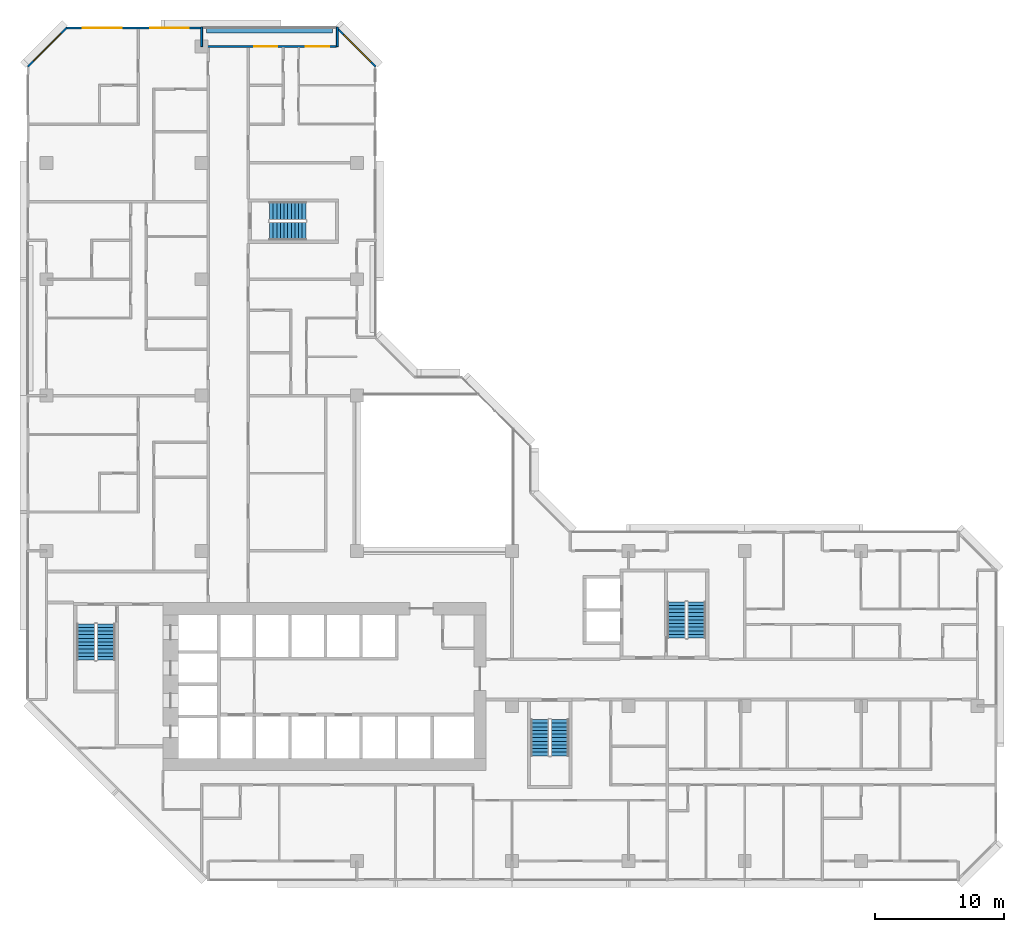
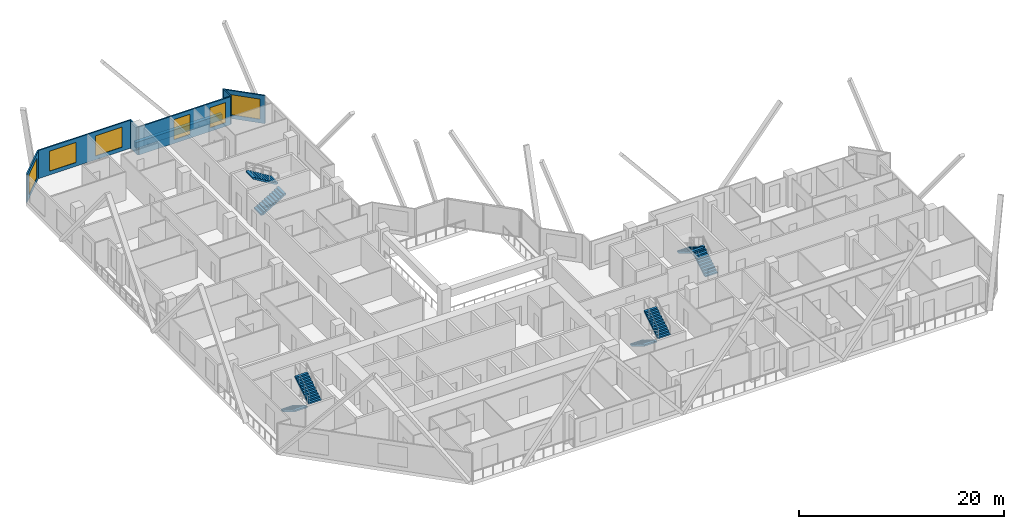
# One storey, part 13 of 15: 8 stair flights, 7 walls, 6 windows, 6 openings, 4 elements without a shape of their own.
"""IFC4 building model written with IfcOpenShell, lengths in metres."""

from ifc_helpers import new_model, si_unit, direction, frame, frame_2d, origin, place, context, subcontext, project, spatial, polyline, rectangle, outline, extrude, material, layer, layer_set, type_object, element, fill, aggregate, save


model = new_model("IFC4")

# Units and contexts
model_context = context("Model", 3, precision=1e-05, world=origin(), true_north=direction((0.0, 1.0)))
body_context = subcontext(model_context, "Body", "Model", "MODEL_VIEW")
ifc_project = project(units=[si_unit("LENGTHUNIT", "METRE"), si_unit("AREAUNIT", "SQUARE_METRE"), si_unit("VOLUMEUNIT", "CUBIC_METRE"), si_unit("PLANEANGLEUNIT", "RADIAN"), si_unit("MASSUNIT", "GRAM", prefix="KILO")], contexts=[model_context])

# Site, building, storey
site_placement = place(None, origin())
site = spatial("IfcSite", under=ifc_project, at=site_placement, CompositionType="ELEMENT")
building_placement = place(site_placement, origin())
building = spatial("IfcBuilding", under=site, at=building_placement, Name="Chenar Terraces", CompositionType="ELEMENT")
storey_placement = place(building_placement, frame((0.0, 0.0, 129.39990234375)))
storey = spatial("IfcBuildingStorey", under=building, at=storey_placement, Name="L30", CompositionType="ELEMENT", Elevation=129.39990234375)

# Wall, openings, windows
ifc_material_1 = material(Name="Aluminium framed glazing", Category="aluminium")
ifc_layer_1 = layer(ifc_material_1, 0.14990234375)
ifc_layer_set_1 = layer_set([ifc_layer_1], Name="Aluminium framed glazing")
wall_type_1 = type_object("IfcWallType", Name="Glazed flush facade wall 150", PredefinedType="SOLIDWALL", material=ifc_layer_set_1)
wall_1_placement = place(storey_placement, frame((11.925048828125, 64.425048828125, 0.0), z_axis=(0.0, 0.0, 1.0), x_axis=(-1.0, 0.0, 0.0)))
wall_1 = element("IfcWall", 1, at=wall_1_placement, inside=storey, type_object=wall_type_1, Name="Glazed flush facade wall", PredefinedType="SOLIDWALL", context=body_context, shape_type="SweptSolid", body=[
    extrude(rectangle(XDim=10.425048828125, YDim=0.14990234375, at=frame_2d((5.21240234375, 0.0))), origin(), (0.0, 0.0, 1.0), 3.35009765625),
])
opening_1_placement = place(wall_1_placement, frame((0.91259765625, 0.0, 0.449951171875)))
opening_1 = element("IfcOpeningElement", 2, at=opening_1_placement, cuts=wall_1, Name="Opening W300x240", PredefinedType="OPENING", context=body_context, shape_type="SweptSolid", body=[
    extrude(rectangle(XDim=3.0, YDim=2.39990234375, at=frame_2d((1.5, 1.199951171875))), frame((0.0, 0.0849609375, 0.0), z_axis=(0.0, -1.0, 0.0), x_axis=(1.0, 0.0, 0.0)), (0.0, 0.0, 1.0), 0.169921875),
])
opening_2_placement = place(wall_1_placement, frame((6.125, 0.0, 0.449951171875)))
opening_2 = element("IfcOpeningElement", 3, at=opening_2_placement, cuts=wall_1, Name="Opening W300x240", PredefinedType="OPENING", context=body_context, shape_type="SweptSolid", body=[
    extrude(rectangle(XDim=3.0, YDim=2.39990234375, at=frame_2d((1.5, 1.199951171875))), frame((0.0, 0.0849609375, 0.0), z_axis=(0.0, -1.0, 0.0), x_axis=(1.0, 0.0, 0.0)), (0.0, 0.0, 1.0), 0.169921875),
])
ifc_material_2 = material(Name="Low emissivity double glazing, aluminium frame", Category="aluminium")
window_type_1 = type_object("IfcWindowType", Name="Fixed light 3000 x 2400", PartitioningType="SINGLE_PANEL", PredefinedType="WINDOW", material=ifc_material_2)
window_1_placement = place(opening_1_placement, origin())
window_1 = element("IfcWindow", 4, at=window_1_placement, inside=storey, type_object=window_type_1, Name="Window", OverallHeight=2.39990234375, OverallWidth=3.0, PartitioningType="SINGLE_PANEL", PredefinedType="WINDOW", context=body_context, shape_type="SweptSolid", body=[
    extrude(rectangle(XDim=3.0, YDim=2.39990234375, at=frame_2d((1.5, 1.199951171875))), frame((0.0, 0.030029296875, 0.0), z_axis=(0.0, -1.0, 0.0), x_axis=(1.0, 0.0, 0.0)), (0.0, 0.0, 1.0), 0.06005859375),
])
fill(opening_1, window_1)
window_2_placement = place(opening_2_placement, origin())
window_2 = element("IfcWindow", 5, at=window_2_placement, inside=storey, type_object=window_type_1, Name="Window", OverallHeight=2.39990234375, OverallWidth=3.0, PartitioningType="SINGLE_PANEL", PredefinedType="WINDOW", context=body_context, shape_type="SweptSolid", body=[
    extrude(rectangle(XDim=3.0, YDim=2.39990234375, at=frame_2d((1.5, 1.199951171875))), frame((0.0, 0.030029296875, 0.0), z_axis=(0.0, -1.0, 0.0), x_axis=(1.0, 0.0, 0.0)), (0.0, 0.0, 1.0), 0.06005859375),
])
fill(opening_2, window_2)

ifc_material_3 = material(Name="Aluminium framed glazing", Category="aluminium")
ifc_layer_2 = layer(ifc_material_3, 0.14990234375)
ifc_layer_set_2 = layer_set([ifc_layer_2], Name="Aluminium framed glazing")
wall_type_2 = type_object("IfcWallType", Name="Glazed loggia back wall 150", PredefinedType="SOLIDWALL", material=ifc_layer_set_2)
wall_2_placement = place(storey_placement, frame((22.425048828125, 63.0, 0.0), z_axis=(0.0, 0.0, 1.0), x_axis=(-1.0, 0.0, 0.0)))
wall_2 = element("IfcWall", 6, at=wall_2_placement, inside=storey, type_object=wall_type_2, Name="Glazed loggia back wall", PredefinedType="SOLIDWALL", context=body_context, shape_type="SweptSolid", body=[
    extrude(rectangle(XDim=10.35009765625, YDim=0.14990234375, at=frame_2d((5.175048828125, 0.0))), origin(), (0.0, 0.0, 1.0), 3.35009765625),
])
opening_3_placement = place(wall_2_placement, frame((0.5625, 0.0, 0.449951171875)))
opening_3 = element("IfcOpeningElement", 7, at=opening_3_placement, cuts=wall_2, Name="Opening W180x240", PredefinedType="OPENING", context=body_context, shape_type="SweptSolid", body=[
    extrude(rectangle(XDim=1.800048828125, YDim=2.39990234375, at=frame_2d((0.89990234375, 1.199951171875))), frame((0.0, 0.0849609375, 0.0), z_axis=(0.0, -1.0, 0.0), x_axis=(1.0, 0.0, 0.0)), (0.0, 0.0, 1.0), 0.169921875),
])
opening_4_placement = place(wall_2_placement, frame((4.574951171875, 0.0, 0.449951171875)))
opening_4 = element("IfcOpeningElement", 8, at=opening_4_placement, cuts=wall_2, Name="Opening W180x240", PredefinedType="OPENING", context=body_context, shape_type="SweptSolid", body=[
    extrude(rectangle(XDim=1.800048828125, YDim=2.39990234375, at=frame_2d((0.89990234375, 1.199951171875))), frame((0.0, 0.0849609375, 0.0), z_axis=(0.0, -1.0, 0.0), x_axis=(1.0, 0.0, 0.0)), (0.0, 0.0, 1.0), 0.169921875),
])
ifc_material_4 = material(Name="Low emissivity double glazing, aluminium frame", Category="aluminium")
window_type_2 = type_object("IfcWindowType", Name="Fixed light 1800 x 2400", PartitioningType="SINGLE_PANEL", PredefinedType="WINDOW", material=ifc_material_4)
window_3_placement = place(opening_3_placement, origin())
window_3 = element("IfcWindow", 9, at=window_3_placement, inside=storey, type_object=window_type_2, Name="Window", OverallHeight=2.39990234375, OverallWidth=1.800048828125, PartitioningType="SINGLE_PANEL", PredefinedType="WINDOW", context=body_context, shape_type="SweptSolid", body=[
    extrude(rectangle(XDim=1.800048828125, YDim=2.39990234375, at=frame_2d((0.89990234375, 1.199951171875))), frame((0.0, 0.030029296875, 0.0), z_axis=(0.0, -1.0, 0.0), x_axis=(1.0, 0.0, 0.0)), (0.0, 0.0, 1.0), 0.06005859375),
])
fill(opening_3, window_3)
window_4_placement = place(opening_4_placement, origin())
window_4 = element("IfcWindow", 10, at=window_4_placement, inside=storey, type_object=window_type_2, Name="Window", OverallHeight=2.39990234375, OverallWidth=1.800048828125, PartitioningType="SINGLE_PANEL", PredefinedType="WINDOW", context=body_context, shape_type="SweptSolid", body=[
    extrude(rectangle(XDim=1.800048828125, YDim=2.39990234375, at=frame_2d((0.89990234375, 1.199951171875))), frame((0.0, 0.030029296875, 0.0), z_axis=(0.0, -1.0, 0.0), x_axis=(1.0, 0.0, 0.0)), (0.0, 0.0, 1.0), 0.06005859375),
])
fill(opening_4, window_4)

# Walls
ifc_material_5 = material(Name="Terracotta cladding on insulated backing", Category="masonry")
ifc_layer_3 = layer(ifc_material_5, 0.14990234375)
ifc_layer_set_3 = layer_set([ifc_layer_3], Name="Terracotta cladding on insulated backing")
wall_type_3 = type_object("IfcWallType", Name="Loggia return wall 150", PredefinedType="SOLIDWALL", material=ifc_layer_set_3)
for number, where, z_axis, x_axis, name in (
    (11, (22.5, 64.5, 0.0), (0.0, 0.0, 1.0), (0.0, -1.0, 0.0), "Loggia return wall"),
    (12, (12.0, 64.5, 0.0), (0.0, 0.0, 1.0), (0.0, -1.0, 0.0), "Loggia return wall"),
):
    element("IfcWall", number, at=place(storey_placement, frame(where, z_axis=z_axis, x_axis=x_axis)), inside=storey, type_object=wall_type_3, Name=name, PredefinedType="SOLIDWALL", context=body_context, shape_type="SweptSolid", body=[
        extrude(rectangle(XDim=1.5, YDim=0.14990234375, at=frame_2d((0.75, 0.0))), origin(), (0.0, 0.0, 1.0), 3.35009765625),
    ])

# Wall, opening, window
ifc_material_6 = material(Name="Terracotta cladding on insulated backing", Category="masonry")
ifc_layer_4 = layer(ifc_material_6, 0.14990234375)
ifc_layer_set_4 = layer_set([ifc_layer_4], Name="Terracotta cladding on insulated backing")
wall_type_4 = type_object("IfcWallType", Name="Terracotta rainscreen wall 150", PredefinedType="SOLIDWALL", material=ifc_layer_set_4)
wall_3_placement = place(storey_placement, frame((25.447021484375, 61.447021484375, 0.0), z_axis=(0.0, 0.0, 1.0), x_axis=(-0.707106781187, 0.707106781187, 0.0)))
wall_3 = element("IfcWall", 13, at=wall_3_placement, inside=storey, type_object=wall_type_4, Name="Terracotta rainscreen wall", PredefinedType="SOLIDWALL", context=body_context, shape_type="SweptSolid", body=[
    extrude(rectangle(XDim=4.24267578125, YDim=0.14990234375, at=frame_2d((2.121337890625, 0.0))), origin(), (0.0, 0.0, 1.0), 3.35009765625),
])
opening_5_placement = place(wall_3_placement, frame((0.498046875, 0.0, 0.449951171875)))
opening_5 = element("IfcOpeningElement", 14, at=opening_5_placement, cuts=wall_3, Name="Opening W300x240", PredefinedType="OPENING", context=body_context, shape_type="SweptSolid", body=[
    extrude(rectangle(XDim=3.0, YDim=2.39990234375, at=frame_2d((1.5, 1.199951171875))), frame((0.0, 0.0849609375, 0.0), z_axis=(0.0, -1.0, 0.0), x_axis=(1.0, 0.0, 0.0)), (0.0, 0.0, 1.0), 0.169921875),
])
window_5_placement = place(opening_5_placement, origin())
window_5 = element("IfcWindow", 15, at=window_5_placement, inside=storey, type_object=window_type_1, Name="Window", OverallHeight=2.39990234375, OverallWidth=3.0, PartitioningType="SINGLE_PANEL", PredefinedType="WINDOW", context=body_context, shape_type="SweptSolid", body=[
    extrude(rectangle(XDim=3.0, YDim=2.39990234375, at=frame_2d((1.5, 1.199951171875))), frame((0.0, 0.030029296875, 0.0), z_axis=(0.0, -1.0, 0.0), x_axis=(1.0, 0.0, 0.0)), (0.0, 0.0, 1.0), 0.06005859375),
])
fill(opening_5, window_5)

wall_4_placement = place(storey_placement, frame((1.552978515625, 64.447021484375, 0.0), z_axis=(0.0, 0.0, 1.0), x_axis=(-0.707106781187, -0.707106781187, 0.0)))
wall_4 = element("IfcWall", 16, at=wall_4_placement, inside=storey, type_object=wall_type_4, Name="Terracotta rainscreen wall", PredefinedType="SOLIDWALL", context=body_context, shape_type="SweptSolid", body=[
    extrude(rectangle(XDim=4.24267578125, YDim=0.14990234375, at=frame_2d((2.121337890625, 0.0))), origin(), (0.0, 0.0, 1.0), 3.35009765625),
])
opening_6_placement = place(wall_4_placement, frame((0.621337890625, 0.0, 0.449951171875)))
opening_6 = element("IfcOpeningElement", 17, at=opening_6_placement, cuts=wall_4, Name="Opening W300x240", PredefinedType="OPENING", context=body_context, shape_type="SweptSolid", body=[
    extrude(rectangle(XDim=3.0, YDim=2.39990234375, at=frame_2d((1.5, 1.199951171875))), frame((0.0, 0.0849609375, 0.0), z_axis=(0.0, -1.0, 0.0), x_axis=(1.0, 0.0, 0.0)), (0.0, 0.0, 1.0), 0.169921875),
])
window_6_placement = place(opening_6_placement, origin())
window_6 = element("IfcWindow", 18, at=window_6_placement, inside=storey, type_object=window_type_1, Name="Window", OverallHeight=2.39990234375, OverallWidth=3.0, PartitioningType="SINGLE_PANEL", PredefinedType="WINDOW", context=body_context, shape_type="SweptSolid", body=[
    extrude(rectangle(XDim=3.0, YDim=2.39990234375, at=frame_2d((1.5, 1.199951171875))), frame((0.0, 0.030029296875, 0.0), z_axis=(0.0, -1.0, 0.0), x_axis=(1.0, 0.0, 0.0)), (0.0, 0.0, 1.0), 0.06005859375),
])
fill(opening_6, window_6)

# Wall
ifc_material_7 = material(Name="GRP planter trough")
ifc_layer_5 = layer(ifc_material_7, 0.39990234375)
ifc_layer_set_5 = layer_set([ifc_layer_5], Name="GRP planter trough")
wall_type_5 = type_object("IfcWallType", Name="Vertical greenery planter 400", PredefinedType="SOLIDWALL", material=ifc_layer_set_5)
wall_5_placement = place(storey_placement, frame((22.125, 64.22900390625, 0.0), z_axis=(0.0, 0.0, 1.0), x_axis=(-1.0, 0.0, 0.0)))
element("IfcWall", 19, at=wall_5_placement, inside=storey, type_object=wall_type_5, Name="Vertical greenery planter", PredefinedType="SOLIDWALL", context=body_context, shape_type="SweptSolid", body=[
    extrude(rectangle(XDim=9.75, YDim=0.39990234375, at=frame_2d((4.875, 0.0))), origin(), (0.0, 0.0, 1.0), 0.7001953125),
])

# Stair, stair flights
ifc_material_8 = material(Name="Reinforced concrete C40/50", Category="concrete")
stair_type = type_object("IfcStairType", Name="Core stair 1400 half-turn", PredefinedType="HALF_TURN_STAIR", material=ifc_material_8)
placement = place(storey_placement, origin())
stair_1 = element("IfcStair", 20, at=placement, inside=storey, type_object=stair_type, Name="L30 Stair 1", PredefinedType="HALF_TURN_STAIR")
ifc_material_9 = material(Name="Reinforced concrete C40/50", Category="concrete")
stair_flight_type = type_object("IfcStairFlightType", Name="Core stair flight 1400", PredefinedType="STRAIGHT", material=ifc_material_9)
stair_flight_1_placement = place(storey_placement, frame((3.050048828125, 18.35009765625, 0.0), z_axis=(0.0, 0.0, 1.0), x_axis=(0.0, -1.0, 0.0)))
stair_flight_1 = element("IfcStairFlight", 21, at=stair_flight_1_placement, type_object=stair_flight_type, Name="ST1 flight 1", NumberOfRisers=11, NumberOfTreads=10, PredefinedType="STRAIGHT", RiserHeight=0.170454545, TreadLength=0.28, context=body_context, shape_type="SweptSolid", body=[
    extrude(outline(polyline([(-0.0029296875, 0.0), (-0.0029296875, 0.17041015625), (0.0, 0.17041015625), (0.280029296875, 0.17041015625), (0.280029296875, 0.3408203125), (0.56005859375, 0.3408203125), (0.56005859375, 0.511474609375), (0.840087890625, 0.511474609375), (0.840087890625, 0.681884765625), (1.1201171875, 0.681884765625), (1.1201171875, 0.852294921875), (1.39990234375, 0.852294921875), (1.39990234375, 1.022705078125), (1.679931640625, 1.022705078125), (1.679931640625, 1.193115234375), (1.9599609375, 1.193115234375), (1.9599609375, 1.363525390625), (2.239990234375, 1.363525390625), (2.239990234375, 1.5341796875), (2.52001953125, 1.5341796875), (2.52001953125, 1.70458984375), (2.800048828125, 1.70458984375), (2.802978515625, 1.70458984375), (2.802978515625, 1.529052734375), (2.800048828125, 1.529052734375), (0.288330078125, 0.0), (-0.0029296875, 0.0)])), frame((0.0, 0.699951171875, 0.0), z_axis=(0.0, -1.0, 0.0), x_axis=(1.0, 0.0, 0.0)), (0.0, 0.0, 1.0), 1.39990234375),
])
stair_flight_2_placement = place(storey_placement, frame((4.60009765625, 15.550048828125, 1.875), z_axis=(0.0, 0.0, 1.0), x_axis=(0.0, 1.0, 0.0)))
stair_flight_2 = element("IfcStairFlight", 22, at=stair_flight_2_placement, type_object=stair_flight_type, Name="ST1 flight 2", NumberOfRisers=11, NumberOfTreads=10, PredefinedType="STRAIGHT", RiserHeight=0.170454545, TreadLength=0.28, context=body_context, shape_type="SweptSolid", body=[
    extrude(outline(polyline([(-0.0029296875, 0.0), (-0.0029296875, 0.17041015625), (0.0, 0.17041015625), (0.280029296875, 0.17041015625), (0.280029296875, 0.3408203125), (0.56005859375, 0.3408203125), (0.56005859375, 0.511474609375), (0.840087890625, 0.511474609375), (0.840087890625, 0.681884765625), (1.1201171875, 0.681884765625), (1.1201171875, 0.852294921875), (1.39990234375, 0.852294921875), (1.39990234375, 1.022705078125), (1.679931640625, 1.022705078125), (1.679931640625, 1.193115234375), (1.9599609375, 1.193115234375), (1.9599609375, 1.363525390625), (2.239990234375, 1.363525390625), (2.239990234375, 1.5341796875), (2.52001953125, 1.5341796875), (2.52001953125, 1.70458984375), (2.800048828125, 1.70458984375), (2.802978515625, 1.70458984375), (2.802978515625, 1.529052734375), (2.800048828125, 1.529052734375), (0.288330078125, 0.0), (-0.0029296875, 0.0)])), frame((0.0, 0.699951171875, 0.0), z_axis=(0.0, -1.0, 0.0), x_axis=(1.0, 0.0, 0.0)), (0.0, 0.0, 1.0), 1.39990234375),
])
aggregate(stair_1, [stair_flight_1, stair_flight_2])

stair_2 = element("IfcStair", 23, at=placement, inside=storey, type_object=stair_type, Name="L30 Stair 2", PredefinedType="HALF_TURN_STAIR")
stair_flight_3_placement = place(storey_placement, frame((38.14990234375, 10.949951171875, 0.0), z_axis=(0.0, 0.0, 1.0), x_axis=(0.0, -1.0, 0.0)))
stair_flight_3 = element("IfcStairFlight", 24, at=stair_flight_3_placement, type_object=stair_flight_type, Name="ST2 flight 1", NumberOfRisers=11, NumberOfTreads=10, PredefinedType="STRAIGHT", RiserHeight=0.170454545, TreadLength=0.28, context=body_context, shape_type="SweptSolid", body=[
    extrude(outline(polyline([(-0.0029296875, 0.0), (-0.0029296875, 0.17041015625), (0.0, 0.17041015625), (0.280029296875, 0.17041015625), (0.280029296875, 0.3408203125), (0.56005859375, 0.3408203125), (0.56005859375, 0.511474609375), (0.840087890625, 0.511474609375), (0.840087890625, 0.681884765625), (1.1201171875, 0.681884765625), (1.1201171875, 0.852294921875), (1.39990234375, 0.852294921875), (1.39990234375, 1.022705078125), (1.679931640625, 1.022705078125), (1.679931640625, 1.193115234375), (1.9599609375, 1.193115234375), (1.9599609375, 1.363525390625), (2.239990234375, 1.363525390625), (2.239990234375, 1.5341796875), (2.52001953125, 1.5341796875), (2.52001953125, 1.70458984375), (2.800048828125, 1.70458984375), (2.802978515625, 1.70458984375), (2.802978515625, 1.529052734375), (2.800048828125, 1.529052734375), (0.288330078125, 0.0), (-0.0029296875, 0.0)])), frame((0.0, 0.699951171875, 0.0), z_axis=(0.0, -1.0, 0.0), x_axis=(1.0, 0.0, 0.0)), (0.0, 0.0, 1.0), 1.39990234375),
])
stair_flight_4_placement = place(storey_placement, frame((39.699951171875, 8.14990234375, 1.875), z_axis=(0.0, 0.0, 1.0), x_axis=(0.0, 1.0, 0.0)))
stair_flight_4 = element("IfcStairFlight", 25, at=stair_flight_4_placement, type_object=stair_flight_type, Name="ST2 flight 2", NumberOfRisers=11, NumberOfTreads=10, PredefinedType="STRAIGHT", RiserHeight=0.170454545, TreadLength=0.28, context=body_context, shape_type="SweptSolid", body=[
    extrude(outline(polyline([(-0.0029296875, 0.0), (-0.0029296875, 0.17041015625), (0.0, 0.17041015625), (0.280029296875, 0.17041015625), (0.280029296875, 0.3408203125), (0.56005859375, 0.3408203125), (0.56005859375, 0.511474609375), (0.840087890625, 0.511474609375), (0.840087890625, 0.681884765625), (1.1201171875, 0.681884765625), (1.1201171875, 0.852294921875), (1.39990234375, 0.852294921875), (1.39990234375, 1.022705078125), (1.679931640625, 1.022705078125), (1.679931640625, 1.193115234375), (1.9599609375, 1.193115234375), (1.9599609375, 1.363525390625), (2.239990234375, 1.363525390625), (2.239990234375, 1.5341796875), (2.52001953125, 1.5341796875), (2.52001953125, 1.70458984375), (2.800048828125, 1.70458984375), (2.802978515625, 1.70458984375), (2.802978515625, 1.529052734375), (2.800048828125, 1.529052734375), (0.288330078125, 0.0), (-0.0029296875, 0.0)])), frame((0.0, 0.699951171875, 0.0), z_axis=(0.0, -1.0, 0.0), x_axis=(1.0, 0.0, 0.0)), (0.0, 0.0, 1.0), 1.39990234375),
])
aggregate(stair_2, [stair_flight_3, stair_flight_4])

stair_3 = element("IfcStair", 26, at=placement, inside=storey, type_object=stair_type, Name="L30 Stair 3", PredefinedType="HALF_TURN_STAIR")
stair_flight_5_placement = place(storey_placement, frame((50.27490234375, 17.25, 0.0), z_axis=(0.0, 0.0, 1.0), x_axis=(0.0, 1.0, 0.0)))
stair_flight_5 = element("IfcStairFlight", 27, at=stair_flight_5_placement, type_object=stair_flight_type, Name="ST3 flight 1", NumberOfRisers=11, NumberOfTreads=10, PredefinedType="STRAIGHT", RiserHeight=0.170454545, TreadLength=0.28, context=body_context, shape_type="SweptSolid", body=[
    extrude(outline(polyline([(-0.0029296875, 0.0), (-0.0029296875, 0.17041015625), (0.0, 0.17041015625), (0.280029296875, 0.17041015625), (0.280029296875, 0.3408203125), (0.56005859375, 0.3408203125), (0.56005859375, 0.511474609375), (0.840087890625, 0.511474609375), (0.840087890625, 0.681884765625), (1.1201171875, 0.681884765625), (1.1201171875, 0.852294921875), (1.39990234375, 0.852294921875), (1.39990234375, 1.022705078125), (1.679931640625, 1.022705078125), (1.679931640625, 1.193115234375), (1.9599609375, 1.193115234375), (1.9599609375, 1.363525390625), (2.239990234375, 1.363525390625), (2.239990234375, 1.5341796875), (2.52001953125, 1.5341796875), (2.52001953125, 1.70458984375), (2.800048828125, 1.70458984375), (2.802978515625, 1.70458984375), (2.802978515625, 1.529052734375), (2.800048828125, 1.529052734375), (0.288330078125, 0.0), (-0.0029296875, 0.0)])), frame((0.0, 0.699951171875, 0.0), z_axis=(0.0, -1.0, 0.0), x_axis=(1.0, 0.0, 0.0)), (0.0, 0.0, 1.0), 1.39990234375),
])
stair_flight_6_placement = place(storey_placement, frame((48.72509765625, 20.050048828125, 1.875), z_axis=(0.0, 0.0, 1.0), x_axis=(0.0, -1.0, 0.0)))
stair_flight_6 = element("IfcStairFlight", 28, at=stair_flight_6_placement, type_object=stair_flight_type, Name="ST3 flight 2", NumberOfRisers=11, NumberOfTreads=10, PredefinedType="STRAIGHT", RiserHeight=0.170454545, TreadLength=0.28, context=body_context, shape_type="SweptSolid", body=[
    extrude(outline(polyline([(-0.0029296875, 0.0), (-0.0029296875, 0.17041015625), (0.0, 0.17041015625), (0.280029296875, 0.17041015625), (0.280029296875, 0.3408203125), (0.56005859375, 0.3408203125), (0.56005859375, 0.511474609375), (0.840087890625, 0.511474609375), (0.840087890625, 0.681884765625), (1.1201171875, 0.681884765625), (1.1201171875, 0.852294921875), (1.39990234375, 0.852294921875), (1.39990234375, 1.022705078125), (1.679931640625, 1.022705078125), (1.679931640625, 1.193115234375), (1.9599609375, 1.193115234375), (1.9599609375, 1.363525390625), (2.239990234375, 1.363525390625), (2.239990234375, 1.5341796875), (2.52001953125, 1.5341796875), (2.52001953125, 1.70458984375), (2.800048828125, 1.70458984375), (2.802978515625, 1.70458984375), (2.802978515625, 1.529052734375), (2.800048828125, 1.529052734375), (0.288330078125, 0.0), (-0.0029296875, 0.0)])), frame((0.0, 0.699951171875, 0.0), z_axis=(0.0, -1.0, 0.0), x_axis=(1.0, 0.0, 0.0)), (0.0, 0.0, 1.0), 1.39990234375),
])
aggregate(stair_3, [stair_flight_5, stair_flight_6])

stair_4 = element("IfcStair", 29, at=placement, inside=storey, type_object=stair_type, Name="L30 Stair 4", PredefinedType="HALF_TURN_STAIR")
stair_flight_7_placement = place(storey_placement, frame((17.25, 48.72509765625, 0.0), z_axis=(0.0, 0.0, 1.0), x_axis=(1.0, 0.0, 0.0)))
stair_flight_7 = element("IfcStairFlight", 30, at=stair_flight_7_placement, type_object=stair_flight_type, Name="ST4 flight 1", NumberOfRisers=11, NumberOfTreads=10, PredefinedType="STRAIGHT", RiserHeight=0.170454545, TreadLength=0.28, context=body_context, shape_type="SweptSolid", body=[
    extrude(outline(polyline([(-0.0029296875, 0.0), (-0.0029296875, 0.17041015625), (0.0, 0.17041015625), (0.280029296875, 0.17041015625), (0.280029296875, 0.3408203125), (0.56005859375, 0.3408203125), (0.56005859375, 0.511474609375), (0.840087890625, 0.511474609375), (0.840087890625, 0.681884765625), (1.1201171875, 0.681884765625), (1.1201171875, 0.852294921875), (1.39990234375, 0.852294921875), (1.39990234375, 1.022705078125), (1.679931640625, 1.022705078125), (1.679931640625, 1.193115234375), (1.9599609375, 1.193115234375), (1.9599609375, 1.363525390625), (2.239990234375, 1.363525390625), (2.239990234375, 1.5341796875), (2.52001953125, 1.5341796875), (2.52001953125, 1.70458984375), (2.800048828125, 1.70458984375), (2.802978515625, 1.70458984375), (2.802978515625, 1.529052734375), (2.800048828125, 1.529052734375), (0.288330078125, 0.0), (-0.0029296875, 0.0)])), frame((0.0, 0.699951171875, 0.0), z_axis=(0.0, -1.0, 0.0), x_axis=(1.0, 0.0, 0.0)), (0.0, 0.0, 1.0), 1.39990234375),
])
stair_flight_8_placement = place(storey_placement, frame((20.050048828125, 50.27490234375, 1.875), z_axis=(0.0, 0.0, 1.0), x_axis=(-1.0, 0.0, 0.0)))
stair_flight_8 = element("IfcStairFlight", 31, at=stair_flight_8_placement, type_object=stair_flight_type, Name="ST4 flight 2", NumberOfRisers=11, NumberOfTreads=10, PredefinedType="STRAIGHT", RiserHeight=0.170454545, TreadLength=0.28, context=body_context, shape_type="SweptSolid", body=[
    extrude(outline(polyline([(-0.0029296875, 0.0), (-0.0029296875, 0.17041015625), (0.0, 0.17041015625), (0.280029296875, 0.17041015625), (0.280029296875, 0.3408203125), (0.56005859375, 0.3408203125), (0.56005859375, 0.511474609375), (0.840087890625, 0.511474609375), (0.840087890625, 0.681884765625), (1.1201171875, 0.681884765625), (1.1201171875, 0.852294921875), (1.39990234375, 0.852294921875), (1.39990234375, 1.022705078125), (1.679931640625, 1.022705078125), (1.679931640625, 1.193115234375), (1.9599609375, 1.193115234375), (1.9599609375, 1.363525390625), (2.239990234375, 1.363525390625), (2.239990234375, 1.5341796875), (2.52001953125, 1.5341796875), (2.52001953125, 1.70458984375), (2.800048828125, 1.70458984375), (2.802978515625, 1.70458984375), (2.802978515625, 1.529052734375), (2.800048828125, 1.529052734375), (0.288330078125, 0.0), (-0.0029296875, 0.0)])), frame((0.0, 0.699951171875, 0.0), z_axis=(0.0, -1.0, 0.0), x_axis=(1.0, 0.0, 0.0)), (0.0, 0.0, 1.0), 1.39990234375),
])
aggregate(stair_4, [stair_flight_7, stair_flight_8])

save(model, "model.ifc")
